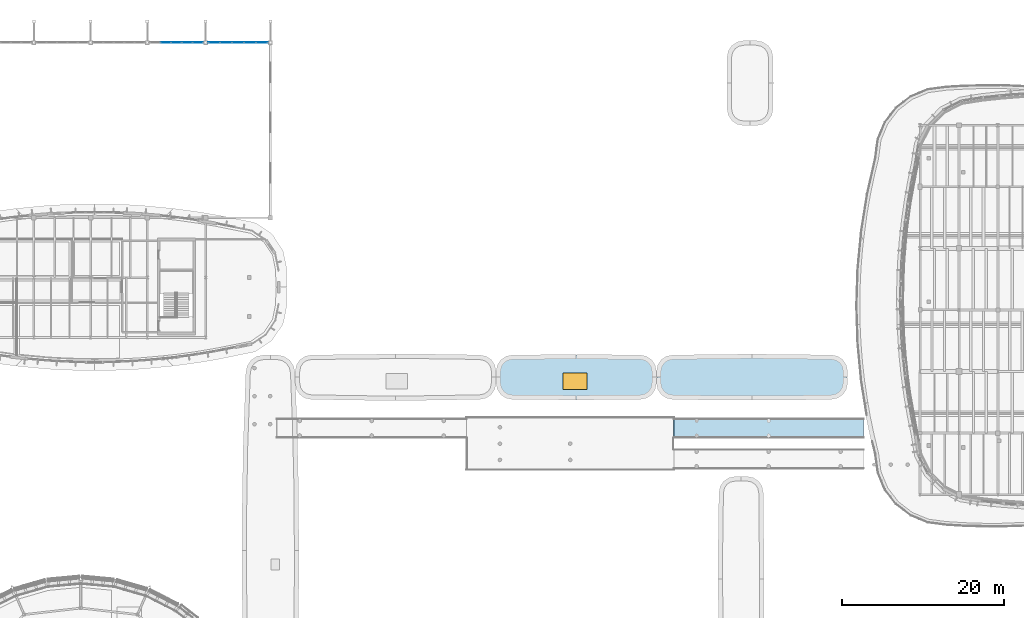
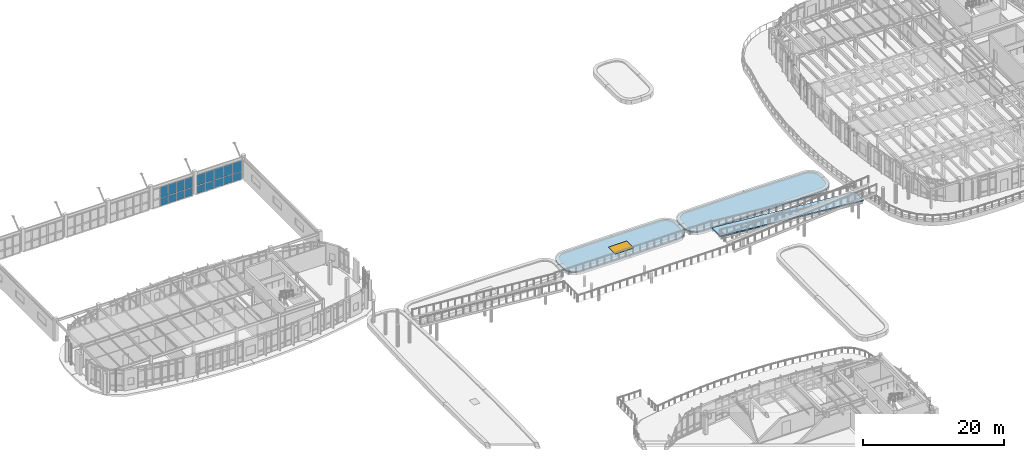
# One storey, part 75 of 111: 18 plates, 3 slabs, 1 window, 1 opening, 2 elements without a shape of their own.
"""IFC4 building model written with IfcOpenShell, lengths in metres."""

from ifc_helpers import new_model, si_unit, direction, frame, origin, origin_2d, place, context, subcontext, project, spatial, polyline, rectangle, outline, extrude, material, layer, layer_set, type_object, element, fill, aggregate, save


model = new_model("IFC4")

# Units and contexts
model_context = context("Model", 3, precision=1e-05, world=origin(), true_north=direction((0.0, 1.0)))
body_context = subcontext(model_context, "Body", "Model", "MODEL_VIEW")
ifc_project = project(units=[si_unit("LENGTHUNIT", "METRE"), si_unit("AREAUNIT", "SQUARE_METRE"), si_unit("VOLUMEUNIT", "CUBIC_METRE"), si_unit("PLANEANGLEUNIT", "RADIAN"), si_unit("MASSUNIT", "GRAM", prefix="KILO")], contexts=[model_context])

# Site, building, storey
site_placement = place(None, origin())
site = spatial("IfcSite", under=ifc_project, at=site_placement, CompositionType="ELEMENT")
building_placement = place(site_placement, origin())
building = spatial("IfcBuilding", under=site, at=building_placement, Name="Corveleigh Park Community Centre", CompositionType="ELEMENT")
storey_placement = place(building_placement, frame((0.0, 0.0, 4.800048828125)))
storey = spatial("IfcBuildingStorey", under=building, at=storey_placement, Name="L01", CompositionType="ELEMENT", Elevation=4.800048828125)

# Curtain wall, plates
ifc_material_1 = material(Name="Anodised aluminium 6063-T6", Category="aluminium")
curtain_wall_type = type_object("IfcCurtainWallType", Name="CW-SYS-V2-HALL", PredefinedType="NOTDEFINED", material=ifc_material_1)
curtain_wall_1_placement = place(storey_placement, origin())
curtain_wall_1 = element("IfcCurtainWall", 1, at=curtain_wall_1_placement, inside=storey, type_object=curtain_wall_type, Name="Sports Hall North Clerestory CW 5", PredefinedType="NOTDEFINED")
ifc_material_2 = material(Name="Low-E double glazing", Category="glass")
ifc_layer_1 = layer(ifc_material_2, 0.031982421875, Name="Low-E double glazing", Category="glass")
ifc_layer_set_1 = layer_set([ifc_layer_1], Name="Low-E double glazing")
plate_type = type_object("IfcPlateType", Name="CWP-GLZ-32", PredefinedType="CURTAIN_PANEL", material=ifc_layer_set_1)
plate_1_placement = place(storey_placement, frame((45.441162109375, 114.39990234375, -0.21826171875), z_axis=(0.0, 0.0, 1.0), x_axis=(-1.0, 0.0, 0.0)))
plate_1 = element("IfcPlate", 2, at=plate_1_placement, type_object=plate_type, Name="CW04 panel 1.1", PredefinedType="CURTAIN_PANEL", context=body_context, shape_type="SweptSolid", body=[
    extrude(rectangle(XDim=1.217529296875, YDim=0.031982421875, at=origin_2d()), origin(), (0.0, 0.0, 1.0), 1.344970703125),
])
plate_2_placement = place(storey_placement, frame((45.441162109375, 114.39990234375, 1.197021484375), z_axis=(0.0, 0.0, 1.0), x_axis=(-1.0, 0.0, 0.0)))
plate_2 = element("IfcPlate", 3, at=plate_2_placement, type_object=plate_type, Name="CW04 panel 1.2", PredefinedType="CURTAIN_PANEL", context=body_context, shape_type="SweptSolid", body=[
    extrude(rectangle(XDim=1.217529296875, YDim=0.031982421875, at=origin_2d()), origin(), (0.0, 0.0, 1.0), 1.7958984375),
])
plate_3_placement = place(storey_placement, frame((44.1298828125, 114.39990234375, -0.21826171875), z_axis=(0.0, 0.0, 1.0), x_axis=(-1.0, 0.0, 0.0)))
plate_3 = element("IfcPlate", 4, at=plate_3_placement, type_object=plate_type, Name="CW04 panel 2.1", PredefinedType="CURTAIN_PANEL", context=body_context, shape_type="SweptSolid", body=[
    extrude(rectangle(XDim=1.2548828125, YDim=0.031982421875, at=origin_2d()), origin(), (0.0, 0.0, 1.0), 1.344970703125),
])
plate_4_placement = place(storey_placement, frame((44.1298828125, 114.39990234375, 1.197021484375), z_axis=(0.0, 0.0, 1.0), x_axis=(-1.0, 0.0, 0.0)))
plate_4 = element("IfcPlate", 5, at=plate_4_placement, type_object=plate_type, Name="CW04 panel 2.2", PredefinedType="CURTAIN_PANEL", context=body_context, shape_type="SweptSolid", body=[
    extrude(rectangle(XDim=1.2548828125, YDim=0.031982421875, at=origin_2d()), origin(), (0.0, 0.0, 1.0), 1.7958984375),
])
plate_5_placement = place(storey_placement, frame((42.800048828125, 114.39990234375, -0.21826171875), z_axis=(0.0, 0.0, 1.0), x_axis=(-1.0, 0.0, 0.0)))
plate_5 = element("IfcPlate", 6, at=plate_5_placement, type_object=plate_type, Name="CW04 panel 3.1", PredefinedType="CURTAIN_PANEL", context=body_context, shape_type="SweptSolid", body=[
    extrude(rectangle(XDim=1.2548828125, YDim=0.031982421875, at=origin_2d()), origin(), (0.0, 0.0, 1.0), 1.344970703125),
])
plate_6_placement = place(storey_placement, frame((42.800048828125, 114.39990234375, 1.197021484375), z_axis=(0.0, 0.0, 1.0), x_axis=(-1.0, 0.0, 0.0)))
plate_6 = element("IfcPlate", 7, at=plate_6_placement, type_object=plate_type, Name="CW04 panel 3.2", PredefinedType="CURTAIN_PANEL", context=body_context, shape_type="SweptSolid", body=[
    extrude(rectangle(XDim=1.2548828125, YDim=0.031982421875, at=origin_2d()), origin(), (0.0, 0.0, 1.0), 1.7958984375),
])
plate_7_placement = place(storey_placement, frame((41.469970703125, 114.39990234375, -0.21826171875), z_axis=(0.0, 0.0, 1.0), x_axis=(-1.0, 0.0, 0.0)))
plate_7 = element("IfcPlate", 8, at=plate_7_placement, type_object=plate_type, Name="CW04 panel 4.1", PredefinedType="CURTAIN_PANEL", context=body_context, shape_type="SweptSolid", body=[
    extrude(rectangle(XDim=1.2548828125, YDim=0.031982421875, at=origin_2d()), origin(), (0.0, 0.0, 1.0), 1.344970703125),
])
plate_8_placement = place(storey_placement, frame((41.469970703125, 114.39990234375, 1.197021484375), z_axis=(0.0, 0.0, 1.0), x_axis=(-1.0, 0.0, 0.0)))
plate_8 = element("IfcPlate", 9, at=plate_8_placement, type_object=plate_type, Name="CW04 panel 4.2", PredefinedType="CURTAIN_PANEL", context=body_context, shape_type="SweptSolid", body=[
    extrude(rectangle(XDim=1.2548828125, YDim=0.031982421875, at=origin_2d()), origin(), (0.0, 0.0, 1.0), 1.7958984375),
])
aggregate(curtain_wall_1, [plate_1, plate_2, plate_3, plate_4, plate_5, plate_6, plate_7, plate_8])

curtain_wall_2_placement = place(storey_placement, origin())
curtain_wall_2 = element("IfcCurtainWall", 10, at=curtain_wall_2_placement, inside=storey, type_object=curtain_wall_type, Name="Sports Hall North Clerestory CW 6", PredefinedType="NOTDEFINED")
plate_9_placement = place(storey_placement, frame((53.361328125, 114.39990234375, -0.21826171875), z_axis=(0.0, 0.0, 1.0), x_axis=(-1.0, 0.0, 0.0)))
plate_9 = element("IfcPlate", 11, at=plate_9_placement, type_object=plate_type, Name="CW04 panel 1.1", PredefinedType="CURTAIN_PANEL", context=body_context, shape_type="SweptSolid", body=[
    extrude(rectangle(XDim=1.37744140625, YDim=0.031982421875, at=origin_2d()), origin(), (0.0, 0.0, 1.0), 1.344970703125),
])
plate_10_placement = place(storey_placement, frame((53.361328125, 114.39990234375, 1.197021484375), z_axis=(0.0, 0.0, 1.0), x_axis=(-1.0, 0.0, 0.0)))
plate_10 = element("IfcPlate", 12, at=plate_10_placement, type_object=plate_type, Name="CW04 panel 1.2", PredefinedType="CURTAIN_PANEL", context=body_context, shape_type="SweptSolid", body=[
    extrude(rectangle(XDim=1.37744140625, YDim=0.031982421875, at=origin_2d()), origin(), (0.0, 0.0, 1.0), 1.7958984375),
])
plate_11_placement = place(storey_placement, frame((51.889892578125, 114.39990234375, -0.21826171875), z_axis=(0.0, 0.0, 1.0), x_axis=(-1.0, 0.0, 0.0)))
plate_11 = element("IfcPlate", 13, at=plate_11_placement, type_object=plate_type, Name="CW04 panel 2.1", PredefinedType="CURTAIN_PANEL", context=body_context, shape_type="SweptSolid", body=[
    extrude(rectangle(XDim=1.4150390625, YDim=0.031982421875, at=origin_2d()), origin(), (0.0, 0.0, 1.0), 1.344970703125),
])
plate_12_placement = place(storey_placement, frame((51.889892578125, 114.39990234375, 1.197021484375), z_axis=(0.0, 0.0, 1.0), x_axis=(-1.0, 0.0, 0.0)))
plate_12 = element("IfcPlate", 14, at=plate_12_placement, type_object=plate_type, Name="CW04 panel 2.2", PredefinedType="CURTAIN_PANEL", context=body_context, shape_type="SweptSolid", body=[
    extrude(rectangle(XDim=1.4150390625, YDim=0.031982421875, at=origin_2d()), origin(), (0.0, 0.0, 1.0), 1.7958984375),
])
plate_13_placement = place(storey_placement, frame((50.39990234375, 114.39990234375, -0.21826171875), z_axis=(0.0, 0.0, 1.0), x_axis=(-1.0, 0.0, 0.0)))
plate_13 = element("IfcPlate", 15, at=plate_13_placement, type_object=plate_type, Name="CW04 panel 3.1", PredefinedType="CURTAIN_PANEL", context=body_context, shape_type="SweptSolid", body=[
    extrude(rectangle(XDim=1.4150390625, YDim=0.031982421875, at=origin_2d()), origin(), (0.0, 0.0, 1.0), 1.344970703125),
])
plate_14_placement = place(storey_placement, frame((50.39990234375, 114.39990234375, 1.197021484375), z_axis=(0.0, 0.0, 1.0), x_axis=(-1.0, 0.0, 0.0)))
plate_14 = element("IfcPlate", 16, at=plate_14_placement, type_object=plate_type, Name="CW04 panel 3.2", PredefinedType="CURTAIN_PANEL", context=body_context, shape_type="SweptSolid", body=[
    extrude(rectangle(XDim=1.4150390625, YDim=0.031982421875, at=origin_2d()), origin(), (0.0, 0.0, 1.0), 1.7958984375),
])
plate_15_placement = place(storey_placement, frame((48.909912109375, 114.39990234375, -0.21826171875), z_axis=(0.0, 0.0, 1.0), x_axis=(-1.0, 0.0, 0.0)))
plate_15 = element("IfcPlate", 17, at=plate_15_placement, type_object=plate_type, Name="CW04 panel 4.1", PredefinedType="CURTAIN_PANEL", context=body_context, shape_type="SweptSolid", body=[
    extrude(rectangle(XDim=1.4150390625, YDim=0.031982421875, at=origin_2d()), origin(), (0.0, 0.0, 1.0), 1.344970703125),
])
plate_16_placement = place(storey_placement, frame((48.909912109375, 114.39990234375, 1.197021484375), z_axis=(0.0, 0.0, 1.0), x_axis=(-1.0, 0.0, 0.0)))
plate_16 = element("IfcPlate", 18, at=plate_16_placement, type_object=plate_type, Name="CW04 panel 4.2", PredefinedType="CURTAIN_PANEL", context=body_context, shape_type="SweptSolid", body=[
    extrude(rectangle(XDim=1.4150390625, YDim=0.031982421875, at=origin_2d()), origin(), (0.0, 0.0, 1.0), 1.7958984375),
])
plate_17_placement = place(storey_placement, frame((47.438720703125, 114.39990234375, -0.21826171875), z_axis=(0.0, 0.0, 1.0), x_axis=(-1.0, 0.0, 0.0)))
plate_17 = element("IfcPlate", 19, at=plate_17_placement, type_object=plate_type, Name="CW04 panel 5.1", PredefinedType="CURTAIN_PANEL", context=body_context, shape_type="SweptSolid", body=[
    extrude(rectangle(XDim=1.37744140625, YDim=0.031982421875, at=origin_2d()), origin(), (0.0, 0.0, 1.0), 1.344970703125),
])
plate_18_placement = place(storey_placement, frame((47.438720703125, 114.39990234375, 1.197021484375), z_axis=(0.0, 0.0, 1.0), x_axis=(-1.0, 0.0, 0.0)))
plate_18 = element("IfcPlate", 20, at=plate_18_placement, type_object=plate_type, Name="CW04 panel 5.2", PredefinedType="CURTAIN_PANEL", context=body_context, shape_type="SweptSolid", body=[
    extrude(rectangle(XDim=1.37744140625, YDim=0.031982421875, at=origin_2d()), origin(), (0.0, 0.0, 1.0), 1.7958984375),
])
aggregate(curtain_wall_2, [plate_9, plate_10, plate_11, plate_12, plate_13, plate_14, plate_15, plate_16, plate_17, plate_18])

# Slab
ifc_material_3 = material(Name="Concrete C32/40", Category="concrete")
ifc_layer_2 = layer(ifc_material_3, 0.2041015625, Name="Concrete C32/40", Category="concrete")
ifc_layer_set_2 = layer_set([ifc_layer_2], Name="Concrete C32/40")
slab_type_1 = type_object("IfcSlabType", Name="SLB-LND-204", PredefinedType="LANDING", material=ifc_layer_set_2)
slab_1_placement = place(storey_placement, frame((127.60009765625, 68.0, 0.0), z_axis=(0.083042898465, 0.0, 0.996545973357), x_axis=(-0.996545973357, 0.0, 0.083042898465)))
element("IfcSlab", 21, at=slab_1_placement, inside=storey, type_object=slab_type_1, Name="Courtyard West Roof Promenade Ramp Lower", PredefinedType="LANDING", context=body_context, shape_type="SweptSolid", body=[
    extrude(outline(polyline([(0.0, 0.0), (23.48125135215124, 0.0), (23.48125135215124, 2.39990234375), (0.0, 2.39990234375), (0.0, 0.0)])), origin(), (0.0, 0.0, -1.0), 0.2041015625),
])

# Slab, opening, window
ifc_layer_3 = layer(ifc_material_3, 0.2119140625, Name="Concrete C32/40", Category="concrete")
ifc_layer_set_3 = layer_set([ifc_layer_3], Name="Concrete C32/40")
slab_type_2 = type_object("IfcSlabType", Name="SLB-ROF-212", PredefinedType="ROOF", material=ifc_layer_set_3)
slab_2_placement = place(storey_placement, frame((0.0, 0.0, -0.212158203125)))
slab_2 = element("IfcSlab", 22, at=slab_2_placement, inside=storey, type_object=slab_type_2, Name="Covered Passage North Canopy Mid", PredefinedType="ROOF", context=body_context, shape_type="SweptSolid", body=[
    extrude(outline(polyline([(83.5, 70.548095703125), (82.868896484375, 70.968994140625), (82.447998046875, 71.60009765625), (82.300048828125, 72.343994140625), (82.299072265625, 72.847900390625), (82.300048828125, 73.85595703125), (82.447998046875, 74.60009765625), (82.868896484375, 75.23095703125), (83.5, 75.652099609375), (84.243896484375, 75.800048828125), (88.761962890625, 75.85888671875), (93.279052734375, 75.87109375), (100.055908203125, 75.800048828125), (100.800048828125, 75.652099609375), (101.430908203125, 75.23095703125), (101.85205078125, 74.60009765625), (102.0, 73.85595703125), (102.0009765625, 73.35205078125), (102.0, 72.343994140625), (101.85205078125, 71.60009765625), (101.430908203125, 70.968994140625), (100.800048828125, 70.548095703125), (100.055908203125, 70.39990234375), (93.279052734375, 70.3291015625), (84.243896484375, 70.39990234375), (83.5, 70.548095703125)])), origin(), (0.0, 0.0, 1.0), 0.212158203125),
])
opening_placement = place(slab_2_placement, frame((92.0, 72.60009765625, -0.010009765625)))
opening = element("IfcOpeningElement", 23, at=opening_placement, cuts=slab_2, Name="Opening SK05", PredefinedType="OPENING", context=body_context, shape_type="SweptSolid", body=[
    extrude(rectangle(XDim=3.0, YDim=2.0, at=origin_2d()), origin(), (0.0, 0.0, 1.0), 0.232177734375),
])
window_type = type_object("IfcWindowType", Name="SKY-ROF-3000x2000", PartitioningType="SINGLE_PANEL", PredefinedType="SKYLIGHT", material=ifc_material_2)
window_placement = place(opening_placement, frame((0.0, 0.0, 0.172119140625)))
window = element("IfcWindow", 24, at=window_placement, inside=storey, type_object=window_type, Name="Daylight rooflight 6", OverallHeight=2.0, OverallWidth=3.0, PartitioningType="SINGLE_PANEL", PredefinedType="SKYLIGHT", context=body_context, shape_type="SweptSolid", body=[
    extrude(rectangle(XDim=3.0, YDim=2.0, at=origin_2d()), origin(), (0.0, 0.0, 1.0), 0.050048828125),
])
fill(opening, window)

# Slab
slab_3_placement = place(storey_placement, frame((0.0, 0.0, -0.212158203125)))
element("IfcSlab", 25, at=slab_3_placement, inside=storey, type_object=slab_type_2, Name="Covered Passage North Canopy East", PredefinedType="ROOF", context=body_context, shape_type="SweptSolid", body=[
    extrude(outline(polyline([(103.300048828125, 70.548095703125), (102.6689453125, 70.968994140625), (102.248046875, 71.60009765625), (102.10009765625, 72.343994140625), (102.10009765625, 73.85595703125), (102.248046875, 74.60009765625), (102.6689453125, 75.23095703125), (103.300048828125, 75.652099609375), (104.0439453125, 75.800048828125), (113.85009765625, 75.912109375), (123.656005859375, 75.800048828125), (124.39990234375, 75.652099609375), (125.031005859375, 75.23095703125), (125.451904296875, 74.60009765625), (125.60009765625, 73.85595703125), (125.60009765625, 72.343994140625), (125.451904296875, 71.60009765625), (125.031005859375, 70.968994140625), (124.39990234375, 70.548095703125), (123.656005859375, 70.39990234375), (116.302001953125, 70.294921875), (111.39794921875, 70.294921875), (104.0439453125, 70.39990234375), (103.300048828125, 70.548095703125)])), origin(), (0.0, 0.0, 1.0), 0.212158203125),
])

save(model, "model.ifc")
